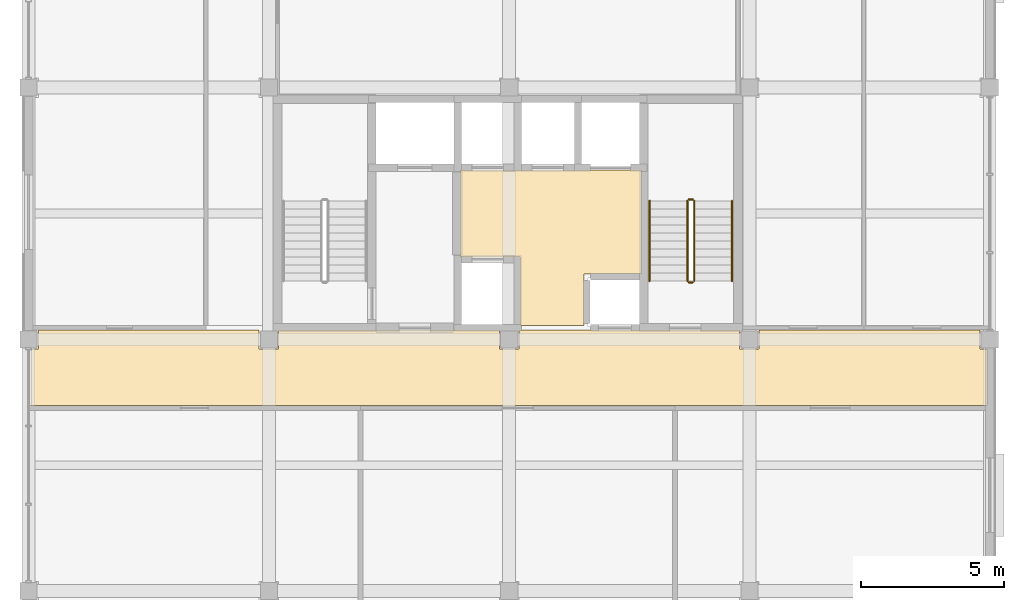
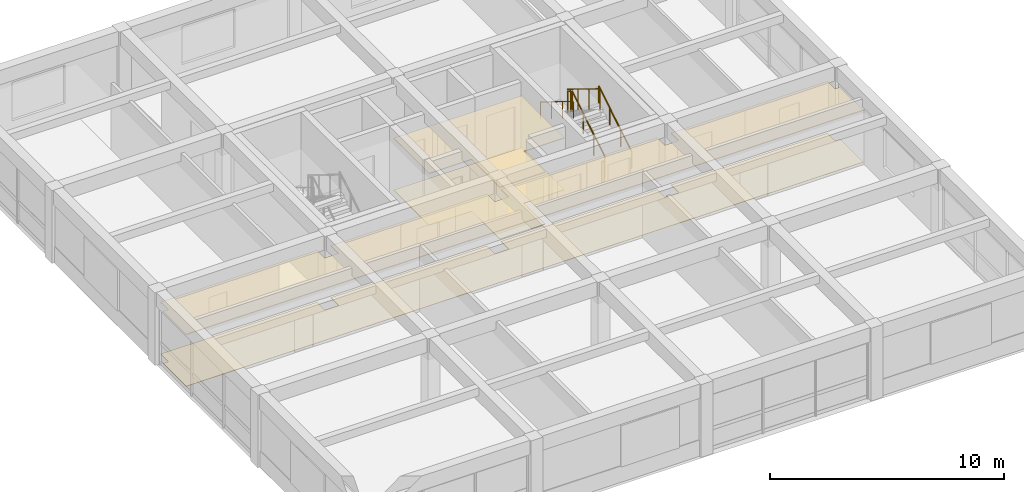
# One storey, part 11 of 12: 6 railings, 4 coverings.
"""IFC4 building model written with IfcOpenShell, lengths in metres."""

from ifc_helpers import new_model, si_unit, direction, frame, origin, origin_2d, place, context, subcontext, project, spatial, polyline, circle, outline, extrude, material, layer, layer_set, type_object, element, save


model = new_model("IFC4")

# Units and contexts
model_context = context("Model", 3, precision=1e-05, world=origin(), true_north=direction((0.0, 1.0)))
body_context = subcontext(model_context, "Body", "Model", "MODEL_VIEW")
ifc_project = project(units=[si_unit("LENGTHUNIT", "METRE"), si_unit("AREAUNIT", "SQUARE_METRE"), si_unit("VOLUMEUNIT", "CUBIC_METRE"), si_unit("PLANEANGLEUNIT", "RADIAN"), si_unit("MASSUNIT", "GRAM", prefix="KILO")], contexts=[model_context])

# Site, building, storey
site_placement = place(None, origin())
site = spatial("IfcSite", under=ifc_project, at=site_placement, CompositionType="ELEMENT")
building_placement = place(site_placement, origin())
building = spatial("IfcBuilding", under=site, at=building_placement, Name="Kemercrest Conservatory and Botanical Centre", CompositionType="ELEMENT")
storey_placement = place(building_placement, frame((0.0, 0.0, 56.0)))
storey = spatial("IfcBuildingStorey", under=building, at=storey_placement, Name="L14", CompositionType="ELEMENT", Elevation=56.0)

# Coverings
ifc_material_1 = material(Name="Perforated acoustic gypsum and mineral-fibre suspended ceiling", Category="gypsum")
ifc_layer_1 = layer(ifc_material_1, 0.034912109375)
ifc_layer_set_1 = layer_set([ifc_layer_1], Name="Perforated acoustic gypsum and mineral-fibre suspended ceiling")
covering_type_1 = type_object("IfcCoveringType", Name="CV-CLG035", PredefinedType="CEILING", material=ifc_layer_set_1)
covering_1_placement = place(storey_placement, frame((0.0, 0.0, 2.699951171875)))
element("IfcCovering", 1, at=covering_1_placement, inside=storey, type_object=covering_type_1, Name="Tower Lift Lobby suspended acoustic ceiling", PredefinedType="CEILING", context=body_context, shape_type="SweptSolid", body=[
    extrude(outline(polyline([(159.580078125, 107.679931640625), (159.580078125, 105.280029296875), (161.820068359375, 105.280029296875), (161.820068359375, 107.080078125), (163.820068359375, 107.080078125), (163.820068359375, 110.719970703125), (157.47998046875, 110.719970703125), (157.47998046875, 107.679931640625), (159.580078125, 107.679931640625)])), origin(), (0.0, 0.0, 1.0), 0.03515625),
])
covering_2_placement = place(storey_placement, frame((0.0, 0.0, 2.699951171875)))
element("IfcCovering", 2, at=covering_2_placement, inside=storey, type_object=covering_type_1, Name="Fellowship Corridor suspended acoustic ceiling", PredefinedType="CEILING", context=body_context, shape_type="SweptSolid", body=[
    extrude(outline(polyline([(142.47998046875, 102.47998046875), (175.919921875, 102.47998046875), (175.919921875, 104.4599609375), (175.659912109375, 104.4599609375), (175.659912109375, 105.1201171875), (167.93994140625, 105.1201171875), (167.93994140625, 104.4599609375), (167.260009765625, 104.4599609375), (167.260009765625, 105.1201171875), (159.5400390625, 105.1201171875), (159.5400390625, 104.4599609375), (158.860107421875, 104.4599609375), (158.860107421875, 105.1201171875), (151.139892578125, 105.1201171875), (151.139892578125, 104.4599609375), (150.4599609375, 104.4599609375), (150.4599609375, 105.1201171875), (142.739990234375, 105.1201171875), (142.739990234375, 104.4599609375), (142.47998046875, 104.4599609375), (142.47998046875, 102.47998046875)])), origin(), (0.0, 0.0, 1.0), 0.03515625),
])
ifc_material_2 = material(Name="Polished limestone terrazzo and seamless laboratory epoxy flooring", Category="masonry")
ifc_layer_2 = layer(ifc_material_2, 0.02001953125)
ifc_layer_set_2 = layer_set([ifc_layer_2], Name="Polished limestone terrazzo and seamless laboratory epoxy flooring")
covering_type_2 = type_object("IfcCoveringType", Name="CV-FLR020", PredefinedType="FLOORING", material=ifc_layer_set_2)
covering_3_placement = place(storey_placement, origin())
element("IfcCovering", 3, at=covering_3_placement, inside=storey, type_object=covering_type_2, Name="Tower Lift Lobby floor finish", PredefinedType="FLOORING", context=body_context, shape_type="SweptSolid", body=[
    extrude(outline(polyline([(159.580078125, 107.679931640625), (159.580078125, 105.280029296875), (161.820068359375, 105.280029296875), (161.820068359375, 107.080078125), (163.820068359375, 107.080078125), (163.820068359375, 110.719970703125), (157.47998046875, 110.719970703125), (157.47998046875, 107.679931640625), (159.580078125, 107.679931640625)])), origin(), (0.0, 0.0, 1.0), 0.02001953125),
])
covering_4_placement = place(storey_placement, origin())
element("IfcCovering", 4, at=covering_4_placement, inside=storey, type_object=covering_type_2, Name="Fellowship Corridor floor finish", PredefinedType="FLOORING", context=body_context, shape_type="SweptSolid", body=[
    extrude(outline(polyline([(142.47998046875, 102.47998046875), (175.919921875, 102.47998046875), (175.919921875, 104.4599609375), (175.659912109375, 104.4599609375), (175.659912109375, 105.1201171875), (167.93994140625, 105.1201171875), (167.93994140625, 104.4599609375), (167.260009765625, 104.4599609375), (167.260009765625, 105.1201171875), (159.5400390625, 105.1201171875), (159.5400390625, 104.4599609375), (158.860107421875, 104.4599609375), (158.860107421875, 105.1201171875), (151.139892578125, 105.1201171875), (151.139892578125, 104.4599609375), (150.4599609375, 104.4599609375), (150.4599609375, 105.1201171875), (142.739990234375, 105.1201171875), (142.739990234375, 104.4599609375), (142.47998046875, 104.4599609375), (142.47998046875, 102.47998046875)])), origin(), (0.0, 0.0, 1.0), 0.02001953125),
])

# Railings
ifc_material_3 = material(Name="Painted galvanized steel tubular stair guardrail", Category="steel")
railing_type_1 = type_object("IfcRailingType", Name="GR-STR110", PredefinedType="GUARDRAIL", material=ifc_material_3)
railing_1_placement = place(storey_placement, frame((165.669921875, 106.840087890625, 0.172607421875)))
element("IfcRailing", 5, at=railing_1_placement, inside=storey, type_object=railing_type_1, Name="L14 ST-V4B stair guard 1", PredefinedType="GUARDRAIL", context=body_context, shape_type="SweptSolid", body=[
    extrude(circle(Radius=0.02392578125, at=origin_2d()), frame((0.0, 0.0, 1.076171875), z_axis=(0.0, 0.851069175582, 0.525053576669), x_axis=(-1.0, 0.0, 0.0)), (0.0, 0.0, 1.0), 3.289794921875),
    extrude(circle(Radius=0.02099609375, at=origin_2d()), origin(), (0.0, 0.0, 1.0), 1.052001953125),
    extrude(circle(Radius=0.02099609375, at=origin_2d()), frame((0.0, 0.933349609375, 0.57568359375)), (0.0, 0.0, 1.0), 1.052001953125),
    extrude(circle(Radius=0.02099609375, at=origin_2d()), frame((0.0, 1.866455078125, 1.151611328125)), (0.0, 0.0, 1.0), 1.052001953125),
    extrude(circle(Radius=0.02099609375, at=origin_2d()), frame((0.0, 2.7998046875, 1.727294921875)), (0.0, 0.0, 1.0), 1.052001953125),
])
railing_2_placement = place(storey_placement, frame((165.6201171875, 109.68994140625, 1.89990234375)))
element("IfcRailing", 6, at=railing_2_placement, inside=storey, type_object=railing_type_1, Name="L14 ST-V4B stair guard 2", PredefinedType="GUARDRAIL", context=body_context, shape_type="SweptSolid", body=[
    extrude(circle(Radius=0.02392578125, at=origin_2d()), frame((0.0, 0.0, 1.076171875), z_axis=(-1.0, 0.0, 0.0), x_axis=(0.0, -1.0, 0.0)), (0.0, 0.0, 1.0), 0.14013671875),
    extrude(circle(Radius=0.02099609375, at=origin_2d()), origin(), (0.0, 0.0, 1.0), 1.052001953125),
    extrude(circle(Radius=0.02099609375, at=origin_2d()), frame((-0.14013671875, 0.0, 0.0)), (0.0, 0.0, 1.0), 1.052001953125),
])
railing_3_placement = place(storey_placement, frame((165.429931640625, 109.639892578125, 2.07275390625)))
element("IfcRailing", 7, at=railing_3_placement, inside=storey, type_object=railing_type_1, Name="L14 ST-V4B stair guard 3", PredefinedType="GUARDRAIL", context=body_context, shape_type="SweptSolid", body=[
    extrude(circle(Radius=0.02392578125, at=origin_2d()), frame((0.0, 0.0, 1.076171875), z_axis=(0.0, -0.851069175582, 0.525053576669), x_axis=(1.0, 0.0, 0.0)), (0.0, 0.0, 1.0), 3.289794921875),
    extrude(circle(Radius=0.02099609375, at=origin_2d()), origin(), (0.0, 0.0, 1.0), 1.052001953125),
    extrude(circle(Radius=0.02099609375, at=origin_2d()), frame((0.0, -0.933349609375, 0.57568359375)), (0.0, 0.0, 1.0), 1.052001953125),
    extrude(circle(Radius=0.02099609375, at=origin_2d()), frame((0.0, -1.866455078125, 1.151611328125)), (0.0, 0.0, 1.0), 1.052001953125),
    extrude(circle(Radius=0.02099609375, at=origin_2d()), frame((0.0, -2.7998046875, 1.727294921875)), (0.0, 0.0, 1.0), 1.052001953125),
])
railing_4_placement = place(storey_placement, frame((165.6201171875, 106.7900390625, 0.0)))
element("IfcRailing", 8, at=railing_4_placement, inside=storey, type_object=railing_type_1, Name="L14 ST-V4B stair guard 4", PredefinedType="GUARDRAIL", context=body_context, shape_type="SweptSolid", body=[
    extrude(circle(Radius=0.02392578125, at=origin_2d()), frame((0.0, 0.0, 1.076171875), z_axis=(-1.0, 0.0, 0.0), x_axis=(0.0, -1.0, 0.0)), (0.0, 0.0, 1.0), 0.14013671875),
    extrude(circle(Radius=0.02099609375, at=origin_2d()), origin(), (0.0, 0.0, 1.0), 1.052001953125),
    extrude(circle(Radius=0.02099609375, at=origin_2d()), frame((-0.14013671875, 0.0, 0.0)), (0.0, 0.0, 1.0), 1.052001953125),
])
ifc_material_4 = material(Name="Brushed stainless steel wall-mounted handrail", Category="steel")
railing_type_2 = type_object("IfcRailingType", Name="HR-STR090", PredefinedType="HANDRAIL", material=ifc_material_4)
railing_5_placement = place(storey_placement, frame((166.989990234375, 106.840087890625, 0.172607421875)))
element("IfcRailing", 9, at=railing_5_placement, inside=storey, type_object=railing_type_2, Name="L14 ST-V4B stair handrail 1", PredefinedType="HANDRAIL", context=body_context, shape_type="SweptSolid", body=[
    extrude(circle(Radius=0.02392578125, at=origin_2d()), frame((0.0, 0.0, 0.8759765625), z_axis=(0.0, 0.851069175582, 0.525053576669), x_axis=(-1.0, 0.0, 0.0)), (0.0, 0.0, 1.0), 3.289794921875),
    extrude(circle(Radius=0.02099609375, at=origin_2d()), origin(), (0.0, 0.0, 1.0), 0.851806640625),
    extrude(circle(Radius=0.02099609375, at=origin_2d()), frame((0.0, 0.933349609375, 0.57568359375)), (0.0, 0.0, 1.0), 0.851806640625),
    extrude(circle(Radius=0.02099609375, at=origin_2d()), frame((0.0, 1.866455078125, 1.151611328125)), (0.0, 0.0, 1.0), 0.851806640625),
    extrude(circle(Radius=0.02099609375, at=origin_2d()), frame((0.0, 2.7998046875, 1.727294921875)), (0.0, 0.0, 1.0), 0.851806640625),
])
railing_6_placement = place(storey_placement, frame((164.110107421875, 109.639892578125, 2.07275390625)))
element("IfcRailing", 10, at=railing_6_placement, inside=storey, type_object=railing_type_2, Name="L14 ST-V4B stair handrail 2", PredefinedType="HANDRAIL", context=body_context, shape_type="SweptSolid", body=[
    extrude(circle(Radius=0.02392578125, at=origin_2d()), frame((0.0, 0.0, 0.8759765625), z_axis=(0.0, -0.851069175582, 0.525053576669), x_axis=(1.0, 0.0, 0.0)), (0.0, 0.0, 1.0), 3.289794921875),
    extrude(circle(Radius=0.02099609375, at=origin_2d()), origin(), (0.0, 0.0, 1.0), 0.851806640625),
    extrude(circle(Radius=0.02099609375, at=origin_2d()), frame((0.0, -0.933349609375, 0.57568359375)), (0.0, 0.0, 1.0), 0.851806640625),
    extrude(circle(Radius=0.02099609375, at=origin_2d()), frame((0.0, -1.866455078125, 1.151611328125)), (0.0, 0.0, 1.0), 0.851806640625),
    extrude(circle(Radius=0.02099609375, at=origin_2d()), frame((0.0, -2.7998046875, 1.727294921875)), (0.0, 0.0, 1.0), 0.851806640625),
])

save(model, "model.ifc")
